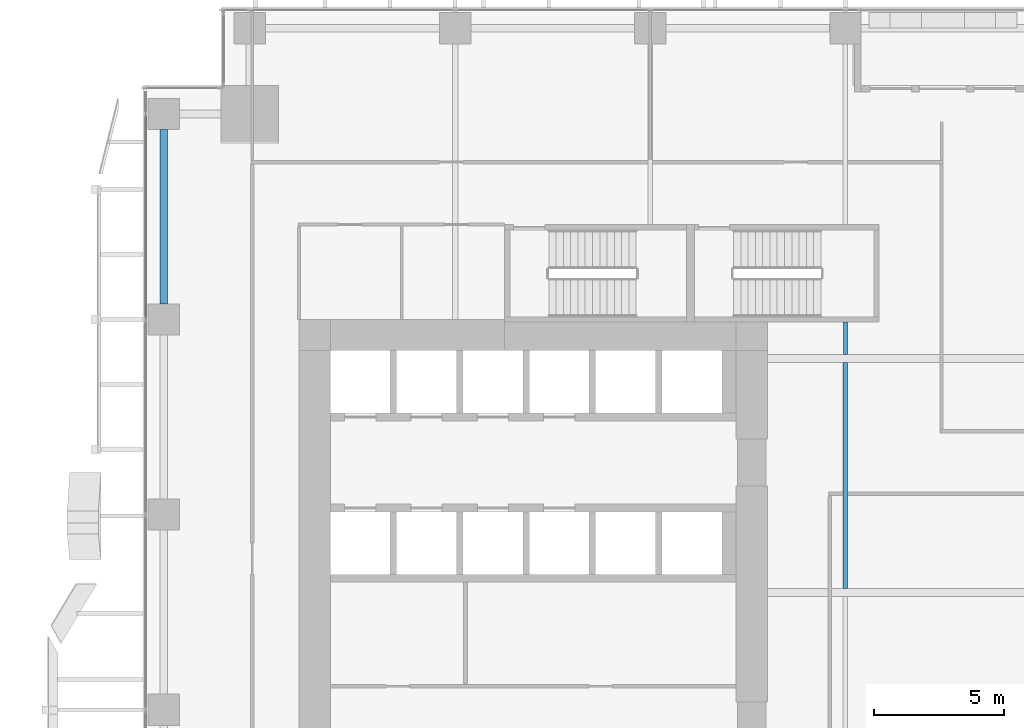
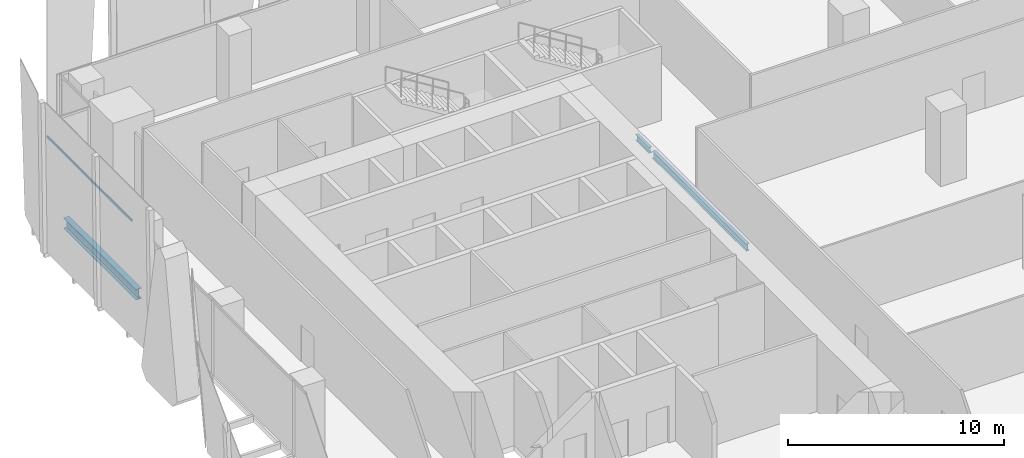
# One storey, part 12 of 35: 3 beams, 1 member, 1 element without a shape of its own.
"""IFC4 building model written with IfcOpenShell, lengths in metres."""

from ifc_helpers import new_model, si_unit, direction, frame, origin, origin_2d, place, context, subcontext, project, spatial, hollow_rectangle, i_section, extrude, source, transform, mapped, material, material_profile, profile_set, type_object, element, aggregate, save


model = new_model("IFC4")

# Units and contexts
model_context = context("Model", 3, precision=1e-05, world=origin(), true_north=direction((0.0, 1.0)))
body_context = subcontext(model_context, "Body", "Model", "MODEL_VIEW")
ifc_project = project(units=[si_unit("LENGTHUNIT", "METRE"), si_unit("AREAUNIT", "SQUARE_METRE"), si_unit("VOLUMEUNIT", "CUBIC_METRE"), si_unit("PLANEANGLEUNIT", "RADIAN"), si_unit("MASSUNIT", "GRAM", prefix="KILO")], contexts=[model_context])

# Site, building, storey
site_placement = place(None, origin())
site = spatial("IfcSite", under=ifc_project, at=site_placement, CompositionType="ELEMENT")
building_placement = place(site_placement, origin())
building = spatial("IfcBuilding", under=site, at=building_placement, Name="Khomas Fold Tower", CompositionType="ELEMENT")
storey_placement = place(building_placement, frame((0.0, 0.0, 87.0)))
storey = spatial("IfcBuildingStorey", under=building, at=storey_placement, Name="L18", CompositionType="ELEMENT", Elevation=87.0)

# Beams
ifc_material_1 = material(Name="Steel S355", Category="steel")
ifc_material_profile_1 = material_profile(ifc_material_1, i_section(OverallWidth=0.179931640625, OverallDepth=0.39990234375, WebThickness=0.008544921875, FlangeThickness=0.013427734375, at=origin_2d()), Name="IPE 400")
ifc_profile_set_1 = profile_set([ifc_material_profile_1], Name="Steel S355")
beam_type_1 = type_object("IfcBeamType", Name="IPE 400 beam JB3", PredefinedType="BEAM", material=ifc_profile_set_1)
shared_shape_1 = source(origin(), body_context, "Body", "SweptSolid", [
    extrude(i_section(OverallWidth=0.179931640625, OverallDepth=0.39990234375, WebThickness=0.008544921875, FlangeThickness=0.013427734375, at=origin_2d()), origin(), (0.0, 0.0, 1.0), 8.7001953125),
])
beam_1_placement = place(storey_placement, frame((27.0, 31.64990234375, -0.5), z_axis=(0.0, 1.0, 0.0), x_axis=(-1.0, 0.0, 0.0)))
element("IfcBeam", 1, at=beam_1_placement, inside=storey, type_object=beam_type_1, Name="JB3", PredefinedType="BEAM", context=body_context, shape_type="MappedRepresentation", body=[
    mapped(shared_shape_1, transform((0.0, 0.0, 0.0))),
])
ifc_material_2 = material(Name="Steel S355", Category="steel")
ifc_material_profile_2 = material_profile(ifc_material_2, i_section(OverallWidth=0.300048828125, OverallDepth=0.60009765625, WebThickness=0.015380859375, FlangeThickness=0.030029296875, at=origin_2d()), Name="HE 600 B")
ifc_profile_set_2 = profile_set([ifc_material_profile_2], Name="Steel S355")
beam_type_2 = type_object("IfcBeamType", Name="HE 600 B spandrel SB1", PredefinedType="SPANDREL", material=ifc_profile_set_2)
shared_shape_2 = source(origin(), body_context, "Body", "SweptSolid", [
    extrude(i_section(OverallWidth=0.300048828125, OverallDepth=0.60009765625, WebThickness=0.015380859375, FlangeThickness=0.030029296875, at=origin_2d()), origin(), (0.0, 0.0, 1.0), 6.699951171875),
])
beam_2_placement = place(storey_placement, frame((0.800048828125, 42.60009765625, -0.60009765625), z_axis=(0.0, 1.0, 0.0), x_axis=(-1.0, 0.0, 0.0)))
element("IfcBeam", 2, at=beam_2_placement, inside=storey, type_object=beam_type_2, Name="SB1", PredefinedType="SPANDREL", context=body_context, shape_type="MappedRepresentation", body=[
    mapped(shared_shape_2, transform((0.0, 0.0, 0.0))),
])
ifc_material_3 = material(Name="Steel S355", Category="steel")
ifc_material_profile_3 = material_profile(ifc_material_3, i_section(OverallWidth=0.159912109375, OverallDepth=0.330078125, WebThickness=0.007568359375, FlangeThickness=0.011474609375, at=origin_2d()), Name="IPE 330")
ifc_profile_set_3 = profile_set([ifc_material_profile_3], Name="Steel S355")
beam_type_3 = type_object("IfcBeamType", Name="IPE 330 beam JB1", PredefinedType="BEAM", material=ifc_profile_set_3)
shared_shape_3 = source(origin(), body_context, "Body", "SweptSolid", [
    extrude(i_section(OverallWidth=0.159912109375, OverallDepth=0.330078125, WebThickness=0.007568359375, FlangeThickness=0.011474609375, at=origin_2d()), origin(), (0.0, 0.0, 1.0), 1.25),
])
beam_3_placement = place(storey_placement, frame((27.0, 40.64990234375, -0.465087890625), z_axis=(0.0, 1.0, 0.0), x_axis=(-1.0, 0.0, 0.0)))
element("IfcBeam", 3, at=beam_3_placement, inside=storey, type_object=beam_type_3, Name="JB1", PredefinedType="BEAM", context=body_context, shape_type="MappedRepresentation", body=[
    mapped(shared_shape_3, transform((0.0, 0.0, 0.0))),
])

# Curtain wall, member
ifc_material_4 = material(Name="Aluminium framed double glazing", Category="aluminium")
curtain_wall_type = type_object("IfcCurtainWallType", Name="SK-Unitised clear-glass wall, growing floors CW1", PredefinedType="NOTDEFINED", material=ifc_material_4)
curtain_wall_placement = place(storey_placement, origin())
curtain_wall = element("IfcCurtainWall", 4, at=curtain_wall_placement, inside=storey, type_object=curtain_wall_type, Name="CW1 run L18 09-0", PredefinedType="NOTDEFINED")
ifc_material_5 = material(Name="Aluminium", Category="aluminium")
ifc_material_profile_4 = material_profile(ifc_material_5, hollow_rectangle(XDim=0.06005859375, YDim=0.1201171875, WallThickness=0.00390625, at=origin_2d()), Name="SK-Unitised clear-glass wall, growing floors transom CW1-T")
ifc_profile_set_4 = profile_set([ifc_material_profile_4], Name="Aluminium")
member_type = type_object("IfcMemberType", Name="SK-Unitised clear-glass wall, growing floors transom CW1-T", PredefinedType="USERDEFINED", material=ifc_profile_set_4)
shared_shape_4 = source(origin(), body_context, "Body", "SweptSolid", [
    extrude(hollow_rectangle(XDim=0.06005859375, YDim=0.1201171875, WallThickness=0.00390625, at=origin_2d()), origin(), (0.0, 0.0, 1.0), 7.840087890625),
])
member_placement = place(storey_placement, frame((0.10009765625, 49.8701171875, 4.139892578125), z_axis=(0.0, -1.0, 0.0), x_axis=(1.0, 0.0, 0.0)))
member = element("IfcMember", 5, at=member_placement, type_object=member_type, Name="CW1 transom 2", ObjectType="TRANSOM", PredefinedType="USERDEFINED", context=body_context, shape_type="MappedRepresentation", body=[
    mapped(shared_shape_4, transform((0.0, 0.0, 0.0))),
])
aggregate(curtain_wall, [member])

save(model, "model.ifc")
